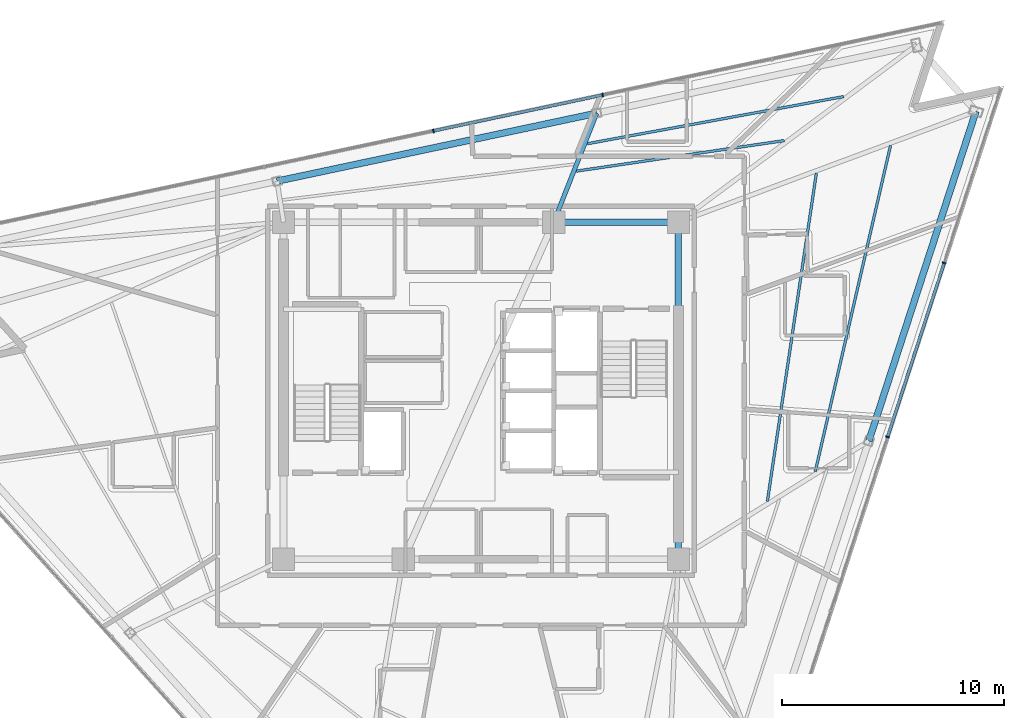
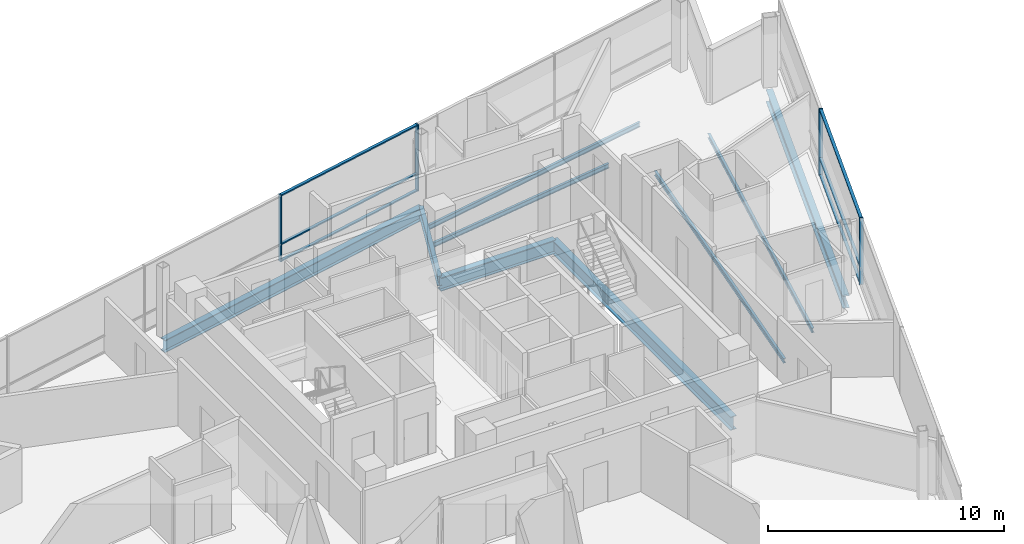
# One storey, part 7 of 17: 10 members, 9 beams, 2 elements without a shape of their own.
"""IFC4 building model written with IfcOpenShell, lengths in metres."""

from ifc_helpers import new_model, si_unit, direction, frame, origin, origin_2d, place, context, subcontext, project, spatial, rectangle, i_section, extrude, material, layer, layer_set, material_profile, profile_set, type_object, element, aggregate, save


model = new_model("IFC4")

# Units and contexts
model_context = context("Model", 3, precision=1e-05, world=origin(), true_north=direction((0.0, 1.0)))
body_context = subcontext(model_context, "Body", "Model", "MODEL_VIEW")
ifc_project = project(units=[si_unit("LENGTHUNIT", "METRE"), si_unit("AREAUNIT", "SQUARE_METRE"), si_unit("VOLUMEUNIT", "CUBIC_METRE"), si_unit("PLANEANGLEUNIT", "RADIAN"), si_unit("MASSUNIT", "GRAM", prefix="KILO")], contexts=[model_context])

# Site, building, storey
site_placement = place(None, origin())
site = spatial("IfcSite", under=ifc_project, at=site_placement, CompositionType="ELEMENT")
building_placement = place(site_placement, origin())
building = spatial("IfcBuilding", under=site, at=building_placement, Name="Tharavind Bronze Gate", CompositionType="ELEMENT")
storey_placement = place(building_placement, frame((0.0, 0.0, 294.35009765625)))
storey = spatial("IfcBuildingStorey", under=building, at=storey_placement, Name="L76", CompositionType="ELEMENT", Elevation=294.35009765625)

# Curtain wall, members
ifc_material_1 = material(Name="Anodised Bronze Aluminium", Category="aluminium")
ifc_layer = layer(ifc_material_1, 0.219970703125)
ifc_layer_set = layer_set([ifc_layer], Name="Anodised Bronze Aluminium")
curtain_wall_type = type_object("IfcCurtainWallType", Name="UNITISED CURTAIN WALL CROWN", PredefinedType="USERDEFINED", material=ifc_layer_set)
curtain_wall_1_placement = place(storey_placement, origin())
curtain_wall_1 = element("IfcCurtainWall", 1, at=curtain_wall_1_placement, inside=storey, type_object=curtain_wall_type, Name="L76 unitised curtain wall crown CW-L76-S2", ObjectType="UNITISED CURTAIN WALL", PredefinedType="USERDEFINED")
member_type_1 = type_object("IfcMemberType", Name="CURTAIN WALL BRONZE MULLION 65X180", PredefinedType="MULLION", material=ifc_material_1)
member_1_placement = place(storey_placement, frame((18.336181640625, -2.08544921875, 0.0), z_axis=(0.0, 0.0, 1.0), x_axis=(0.309016994375, 0.951056516295, 0.0)))
member_1 = element("IfcMember", 2, at=member_1_placement, type_object=member_type_1, Name="CW-L76-S2 mullion 5", PredefinedType="MULLION", context=body_context, shape_type="SweptSolid", body=[
    extrude(rectangle(XDim=0.06494140625, YDim=0.179931640625, at=origin_2d()), origin(), (0.0, 0.0, 1.0), 3.449951171875),
])
member_2_placement = place(storey_placement, frame((20.885009765625, 5.759033203125, 0.0), z_axis=(0.0, 0.0, 1.0), x_axis=(0.309016994375, 0.951056516295, 0.0)))
member_2 = element("IfcMember", 3, at=member_2_placement, type_object=member_type_1, Name="CW-L76-S2 mullion 6", PredefinedType="MULLION", context=body_context, shape_type="SweptSolid", body=[
    extrude(rectangle(XDim=0.06494140625, YDim=0.179931640625, at=origin_2d()), origin(), (0.0, 0.0, 1.0), 3.449951171875),
])

curtain_wall_2_placement = place(storey_placement, origin())
curtain_wall_2 = element("IfcCurtainWall", 4, at=curtain_wall_2_placement, inside=storey, type_object=curtain_wall_type, Name="L76 unitised curtain wall crown CW-L76-S3", ObjectType="UNITISED CURTAIN WALL", PredefinedType="USERDEFINED")
member_3_placement = place(storey_placement, frame((5.487548828125, 13.33740234375, 0.0), z_axis=(0.0, 0.0, 1.0), x_axis=(-0.978147237858, -0.207913398007, 0.0)))
member_3 = element("IfcMember", 5, at=member_3_placement, type_object=member_type_1, Name="CW-L76-S3 mullion 3", PredefinedType="MULLION", context=body_context, shape_type="SweptSolid", body=[
    extrude(rectangle(XDim=0.06494140625, YDim=0.179931640625, at=origin_2d()), origin(), (0.0, 0.0, 1.0), 3.449951171875),
])
member_4_placement = place(storey_placement, frame((-2.14453125, 11.715087890625, 0.0), z_axis=(0.0, 0.0, 1.0), x_axis=(-0.978147237858, -0.207913398007, 0.0)))
member_4 = element("IfcMember", 6, at=member_4_placement, type_object=member_type_1, Name="CW-L76-S3 mullion 4", PredefinedType="MULLION", context=body_context, shape_type="SweptSolid", body=[
    extrude(rectangle(XDim=0.06494140625, YDim=0.179931640625, at=origin_2d()), origin(), (0.0, 0.0, 1.0), 3.449951171875),
])

# Member
member_type_2 = type_object("IfcMemberType", Name="CURTAIN WALL BRONZE TRANSOM 65X140", PredefinedType="USERDEFINED", material=ifc_material_1)
member_5_placement = place(storey_placement, frame((19.610595703125, 1.8369140625, 0.0), z_axis=(0.0, 0.0, 1.0), x_axis=(0.309016994375, 0.951056516295, 0.0)))
member_5 = element("IfcMember", 7, at=member_5_placement, type_object=member_type_2, Name="CW-L76-S2 transom TB5", ObjectType="TRANSOM", PredefinedType="USERDEFINED", context=body_context, shape_type="SweptSolid", body=[
    extrude(rectangle(XDim=8.195068359375, YDim=0.139892578125, at=origin_2d()), origin(), (0.0, 0.0, 1.0), 0.06494140625),
])

member_6_placement = place(storey_placement, frame((19.610595703125, 1.8369140625, 0.867431640625), z_axis=(0.0, 0.0, 1.0), x_axis=(0.309016994375, 0.951056516295, 0.0)))
member_6 = element("IfcMember", 8, at=member_6_placement, type_object=member_type_2, Name="CW-L76-S2 transom TS5", ObjectType="TRANSOM", PredefinedType="USERDEFINED", context=body_context, shape_type="SweptSolid", body=[
    extrude(rectangle(XDim=8.195068359375, YDim=0.139892578125, at=origin_2d()), origin(), (0.0, 0.0, 1.0), 0.06494140625),
])

member_7_placement = place(storey_placement, frame((19.610595703125, 1.8369140625, 3.385009765625), z_axis=(0.0, 0.0, 1.0), x_axis=(0.309016994375, 0.951056516295, 0.0)))
member_7 = element("IfcMember", 9, at=member_7_placement, type_object=member_type_2, Name="CW-L76-S2 transom TT5", ObjectType="TRANSOM", PredefinedType="USERDEFINED", context=body_context, shape_type="SweptSolid", body=[
    extrude(rectangle(XDim=8.195068359375, YDim=0.139892578125, at=origin_2d()), origin(), (0.0, 0.0, 1.0), 0.06494140625),
])

aggregate(curtain_wall_1, [member_1, member_2, member_5, member_6, member_7])

member_8_placement = place(storey_placement, frame((1.67138671875, 12.526123046875, 0.0), z_axis=(0.0, 0.0, 1.0), x_axis=(-0.978147237858, -0.207913398007, 0.0)))
member_8 = element("IfcMember", 10, at=member_8_placement, type_object=member_type_2, Name="CW-L76-S3 transom TB3", ObjectType="TRANSOM", PredefinedType="USERDEFINED", context=body_context, shape_type="SweptSolid", body=[
    extrude(rectangle(XDim=7.749755859375, YDim=0.139892578125, at=origin_2d()), origin(), (0.0, 0.0, 1.0), 0.06494140625),
])

member_9_placement = place(storey_placement, frame((1.67138671875, 12.526123046875, 0.867431640625), z_axis=(0.0, 0.0, 1.0), x_axis=(-0.978147237858, -0.207913398007, 0.0)))
member_9 = element("IfcMember", 11, at=member_9_placement, type_object=member_type_2, Name="CW-L76-S3 transom TS3", ObjectType="TRANSOM", PredefinedType="USERDEFINED", context=body_context, shape_type="SweptSolid", body=[
    extrude(rectangle(XDim=7.749755859375, YDim=0.139892578125, at=origin_2d()), origin(), (0.0, 0.0, 1.0), 0.06494140625),
])

member_10_placement = place(storey_placement, frame((1.67138671875, 12.526123046875, 3.385009765625), z_axis=(0.0, 0.0, 1.0), x_axis=(-0.978147237858, -0.207913398007, 0.0)))
member_10 = element("IfcMember", 12, at=member_10_placement, type_object=member_type_2, Name="CW-L76-S3 transom TT3", ObjectType="TRANSOM", PredefinedType="USERDEFINED", context=body_context, shape_type="SweptSolid", body=[
    extrude(rectangle(XDim=7.749755859375, YDim=0.139892578125, at=origin_2d()), origin(), (0.0, 0.0, 1.0), 0.06494140625),
])

aggregate(curtain_wall_2, [member_3, member_4, member_8, member_9, member_10])

# Beams
ifc_material_2 = material(Name="Steel S355", Category="steel")
ifc_material_profile_1 = material_profile(ifc_material_2, i_section(OverallWidth=0.300048828125, OverallDepth=0.64990234375, WebThickness=0.01611328125, FlangeThickness=0.031005859375, at=origin_2d()), Name="HE650B")
ifc_profile_set_1 = profile_set([ifc_material_profile_1], Name="Steel S355")
beam_type_1 = type_object("IfcBeamType", Name="PRIMARY GIRDER HE650B", PredefinedType="USERDEFINED", material=ifc_profile_set_1)
beam_1_placement = place(storey_placement, frame((17.4892578125, -2.265380859375, -0.510009765625), z_axis=(0.309011547215, 0.951058286168, 0.0), x_axis=(-0.951058286168, 0.309011547215, 0.0)))
element("IfcBeam", 13, at=beam_1_placement, inside=storey, type_object=beam_type_1, Name="L76 primary girder he650b BM-L76-PRG07", ObjectType="GIRDER", PredefinedType="USERDEFINED", context=body_context, shape_type="SweptSolid", body=[
    extrude(i_section(OverallWidth=0.300048828125, OverallDepth=0.64990234375, WebThickness=0.01611328125, FlangeThickness=0.031005859375, at=origin_2d()), origin(), (0.0, 0.0, 1.0), 15.6298828125),
])
beam_2_placement = place(storey_placement, frame((5.219970703125, 12.513671875, -0.510009765625), z_axis=(-0.97814794647, -0.207910064249, 0.0), x_axis=(0.207910064249, -0.97814794647, 0.0)))
element("IfcBeam", 14, at=beam_2_placement, inside=storey, type_object=beam_type_1, Name="L76 primary girder he650b BM-L76-PRG10", ObjectType="GIRDER", PredefinedType="USERDEFINED", context=body_context, shape_type="SweptSolid", body=[
    extrude(i_section(OverallWidth=0.300048828125, OverallDepth=0.64990234375, WebThickness=0.01611328125, FlangeThickness=0.031005859375, at=origin_2d()), origin(), (0.0, 0.0, 1.0), 14.7392578125),
])
ifc_material_profile_2 = material_profile(ifc_material_2, i_section(OverallWidth=0.199951171875, OverallDepth=0.5, WebThickness=0.01025390625, FlangeThickness=0.01611328125, at=origin_2d()), Name="IPE500")
ifc_profile_set_2 = profile_set([ifc_material_profile_2], Name="Steel S355")
beam_type_2 = type_object("IfcBeamType", Name="PRIMARY GIRDER IPE500", PredefinedType="USERDEFINED", material=ifc_profile_set_2)
beam_3_placement = place(storey_placement, frame((5.219970703125, 12.513671875, -0.43505859375), z_axis=(-0.367227563748, -0.930131128618, 0.0), x_axis=(0.930131128618, -0.367227563748, 0.0)))
element("IfcBeam", 15, at=beam_3_placement, inside=storey, type_object=beam_type_2, Name="L76 primary girder ipe500 BM-L76-RAD10", ObjectType="GIRDER", PredefinedType="USERDEFINED", context=body_context, shape_type="SweptSolid", body=[
    extrude(i_section(OverallWidth=0.199951171875, OverallDepth=0.5, WebThickness=0.01025390625, FlangeThickness=0.01611328125, at=origin_2d()), origin(), (0.0, 0.0, 1.0), 5.28271484375),
])
ifc_material_profile_3 = material_profile(ifc_material_2, i_section(OverallWidth=0.300048828125, OverallDepth=0.699951171875, WebThickness=0.01708984375, FlangeThickness=0.031982421875, at=origin_2d()), Name="HE700B")
ifc_profile_set_3 = profile_set([ifc_material_profile_3], Name="Steel S355")
beam_type_3 = type_object("IfcBeamType", Name="RING GIRDER HE700B", PredefinedType="USERDEFINED", material=ifc_profile_set_3)
beam_4_placement = place(storey_placement, frame((8.89990234375, -7.60009765625, -0.53515625), z_axis=(0.0, 1.0, 0.0), x_axis=(-1.0, 0.0, 0.0)))
element("IfcBeam", 16, at=beam_4_placement, inside=storey, type_object=beam_type_3, Name="L76 ring girder he700b BM-L76-CR3", ObjectType="GIRDER", PredefinedType="USERDEFINED", context=body_context, shape_type="SweptSolid", body=[
    extrude(i_section(OverallWidth=0.300048828125, OverallDepth=0.699951171875, WebThickness=0.01708984375, FlangeThickness=0.031982421875, at=origin_2d()), origin(), (0.0, 0.0, 1.0), 15.2001953125),
])
beam_5_placement = place(storey_placement, frame((8.89990234375, 7.60009765625, -0.53515625), z_axis=(-1.0, 0.0, 0.0), x_axis=(0.0, -1.0, 0.0)))
element("IfcBeam", 17, at=beam_5_placement, inside=storey, type_object=beam_type_3, Name="L76 ring girder he700b BM-L76-CR4", ObjectType="GIRDER", PredefinedType="USERDEFINED", context=body_context, shape_type="SweptSolid", body=[
    extrude(i_section(OverallWidth=0.300048828125, OverallDepth=0.699951171875, WebThickness=0.01708984375, FlangeThickness=0.031982421875, at=origin_2d()), origin(), (0.0, 0.0, 1.0), 5.619873046875),
])
ifc_material_profile_4 = material_profile(ifc_material_2, i_section(OverallWidth=0.1201171875, OverallDepth=0.239990234375, WebThickness=0.006103515625, FlangeThickness=0.009765625, at=origin_2d()), Name="IPE240")
ifc_profile_set_4 = profile_set([ifc_material_profile_4], Name="Steel S355")
beam_type_4 = type_object("IfcBeamType", Name="SECONDARY FLOOR JOIST IPE240", PredefinedType="JOIST", material=ifc_profile_set_4)
beam_6_placement = place(storey_placement, frame((12.913818359375, -4.985595703125, -0.30517578125), z_axis=(0.147668368553, 0.989036932035, 0.0), x_axis=(-0.989036932035, 0.147668368553, 0.0)))
element("IfcBeam", 18, at=beam_6_placement, inside=storey, type_object=beam_type_4, Name="L76 secondary floor joist ipe240 BM-L76-JSTA07", PredefinedType="JOIST", context=body_context, shape_type="SweptSolid", body=[
    extrude(i_section(OverallWidth=0.1201171875, OverallDepth=0.239990234375, WebThickness=0.006103515625, FlangeThickness=0.009765625, at=origin_2d()), origin(), (0.0, 0.0, 1.0), 14.95751953125),
])
beam_7_placement = place(storey_placement, frame((15.073974609375, -3.644287109375, -0.30517578125), z_axis=(0.224913878483, 0.974378646762, 0.0), x_axis=(-0.974378646762, 0.224913878483, 0.0)))
element("IfcBeam", 19, at=beam_7_placement, inside=storey, type_object=beam_type_4, Name="L76 secondary floor joist ipe240 BM-L76-JSTB07", PredefinedType="JOIST", context=body_context, shape_type="SweptSolid", body=[
    extrude(i_section(OverallWidth=0.1201171875, OverallDepth=0.239990234375, WebThickness=0.006103515625, FlangeThickness=0.009765625, at=origin_2d()), origin(), (0.0, 0.0, 1.0), 15.0849609375),
])
beam_8_placement = place(storey_placement, frame((13.679931640625, 11.278564453125, -0.30517578125), z_axis=(-0.989403029467, -0.145195197172, 0.0), x_axis=(0.145195197172, -0.989403029467, 0.0)))
element("IfcBeam", 20, at=beam_8_placement, inside=storey, type_object=beam_type_4, Name="L76 secondary floor joist ipe240 BM-L76-JSTA09", PredefinedType="JOIST", context=body_context, shape_type="SweptSolid", body=[
    extrude(i_section(OverallWidth=0.1201171875, OverallDepth=0.239990234375, WebThickness=0.006103515625, FlangeThickness=0.009765625, at=origin_2d()), origin(), (0.0, 0.0, 1.0), 9.47998046875),
])
beam_9_placement = place(storey_placement, frame((16.350341796875, 13.2626953125, -0.30517578125), z_axis=(-0.983492984131, -0.180946263195, 0.0), x_axis=(0.180946263195, -0.983492984131, 0.0)))
element("IfcBeam", 21, at=beam_9_placement, inside=storey, type_object=beam_type_4, Name="L76 secondary floor joist ipe240 BM-L76-JSTB09", PredefinedType="JOIST", context=body_context, shape_type="SweptSolid", body=[
    extrude(i_section(OverallWidth=0.1201171875, OverallDepth=0.239990234375, WebThickness=0.006103515625, FlangeThickness=0.009765625, at=origin_2d()), origin(), (0.0, 0.0, 1.0), 11.75732421875),
])

save(model, "model.ifc")
